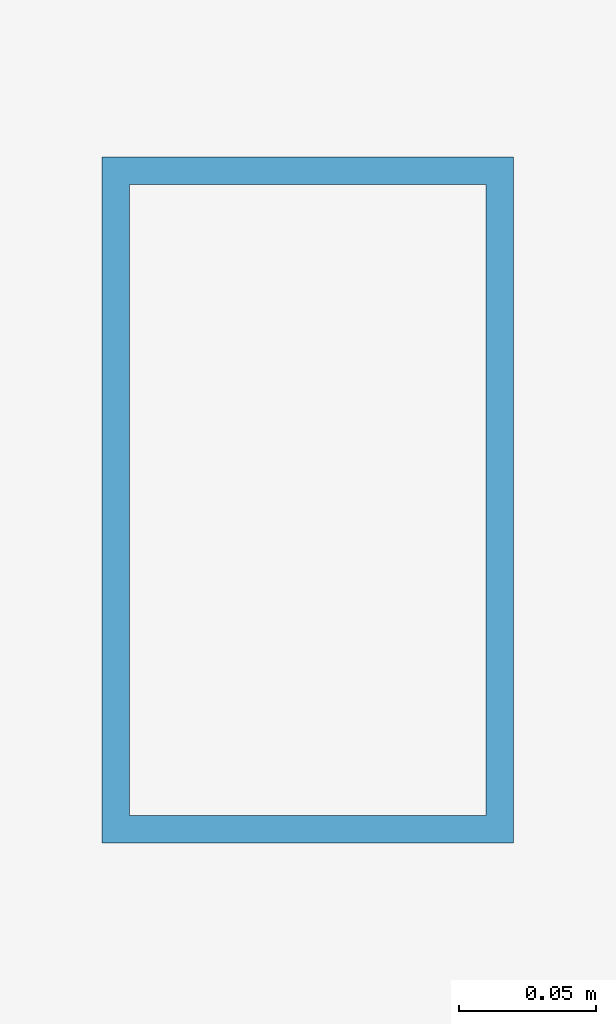
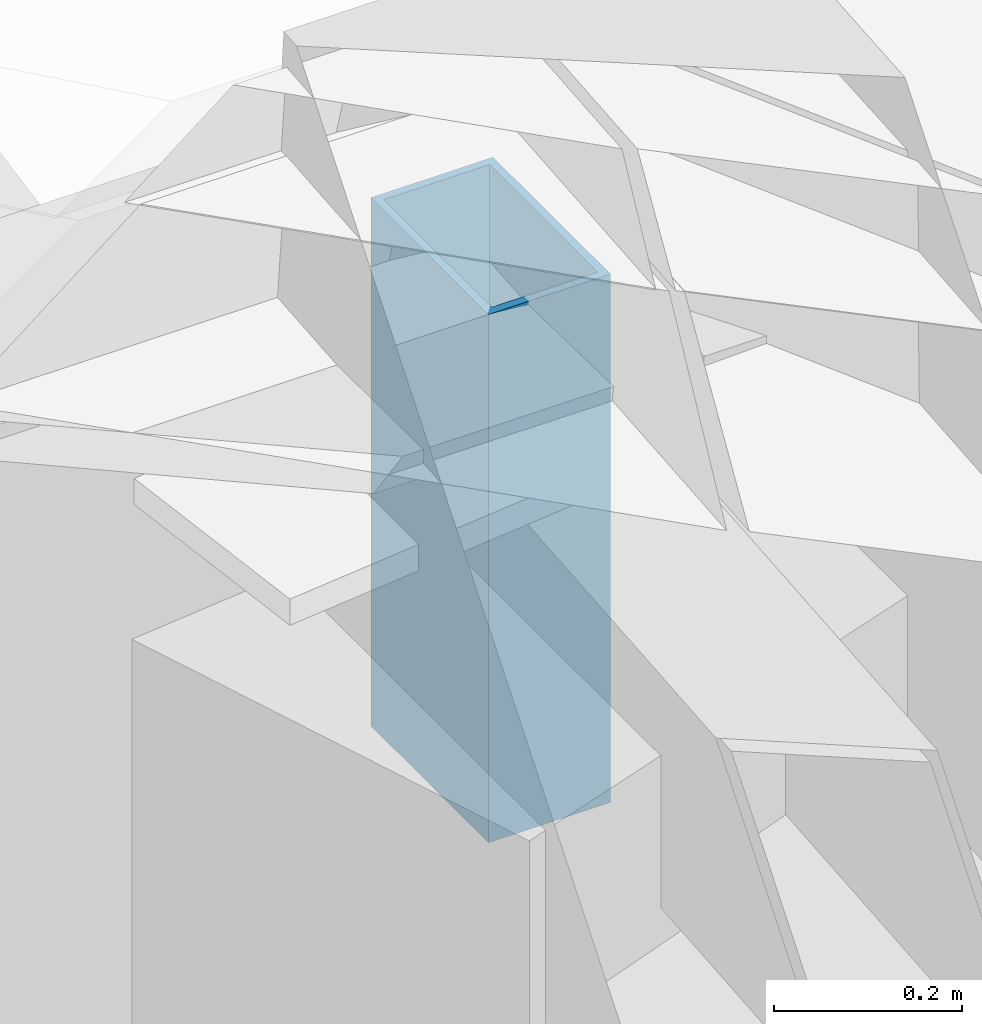
# One storey, part 42 of 68: 1 member.
"""IFC4 building model written with IfcOpenShell, lengths in metres."""

from ifc_helpers import new_model, si_unit, direction, frame, origin, origin_2d, place, context, subcontext, project, spatial, hollow_rectangle, extrude, material, material_profile, profile_set, type_object, element, save


model = new_model("IFC4")

# Units and contexts
model_context = context("Model", 3, precision=1e-05, world=origin(), true_north=direction((0.0, 1.0)))
body_context = subcontext(model_context, "Body", "Model", "MODEL_VIEW")
ifc_project = project(units=[si_unit("LENGTHUNIT", "METRE"), si_unit("AREAUNIT", "SQUARE_METRE"), si_unit("VOLUMEUNIT", "CUBIC_METRE"), si_unit("PLANEANGLEUNIT", "RADIAN"), si_unit("MASSUNIT", "GRAM", prefix="KILO")], contexts=[model_context])

# Site, building, storey
site_placement = place(None, origin())
site = spatial("IfcSite", under=ifc_project, at=site_placement, CompositionType="ELEMENT")
building_placement = place(site_placement, origin())
building = spatial("IfcBuilding", under=site, at=building_placement, Name="Sohan Crest Arena", CompositionType="ELEMENT")
storey_placement = place(building_placement, frame((0.0, 0.0, 27.0)))
storey = spatial("IfcBuildingStorey", under=building, at=storey_placement, Name="RF", CompositionType="ELEMENT", Elevation=27.0)

# Member
ifc_material = material(Name="Steel S355", Category="steel")
ifc_material_profile = material_profile(ifc_material, hollow_rectangle(XDim=0.14990234375, YDim=0.25, WallThickness=0.010009765625, at=origin_2d()), Name="RHS 250x150x10")
ifc_profile_set = profile_set([ifc_material_profile], Name="Steel S355")
member_type = type_object("IfcMemberType", Name="STR-MEM-CH02", PredefinedType="CHORD", material=ifc_profile_set)
member_placement = place(storey_placement, frame((108.0, 48.14306640625, 1.343017578125), z_axis=(0.0, 0.0, 1.0), x_axis=(1.0, 0.0, 0.0)))
element("IfcMember", 1, at=member_placement, inside=storey, type_object=member_type, Name="Ring beam roof bearing saddle chord RSR-14", PredefinedType="CHORD", context=body_context, shape_type="SweptSolid", body=[
    extrude(hollow_rectangle(XDim=0.14990234375, YDim=0.25, WallThickness=0.010009765625, at=origin_2d()), origin(), (0.0, 0.0, 1.0), 0.68505859375),
])

save(model, "model.ifc")
